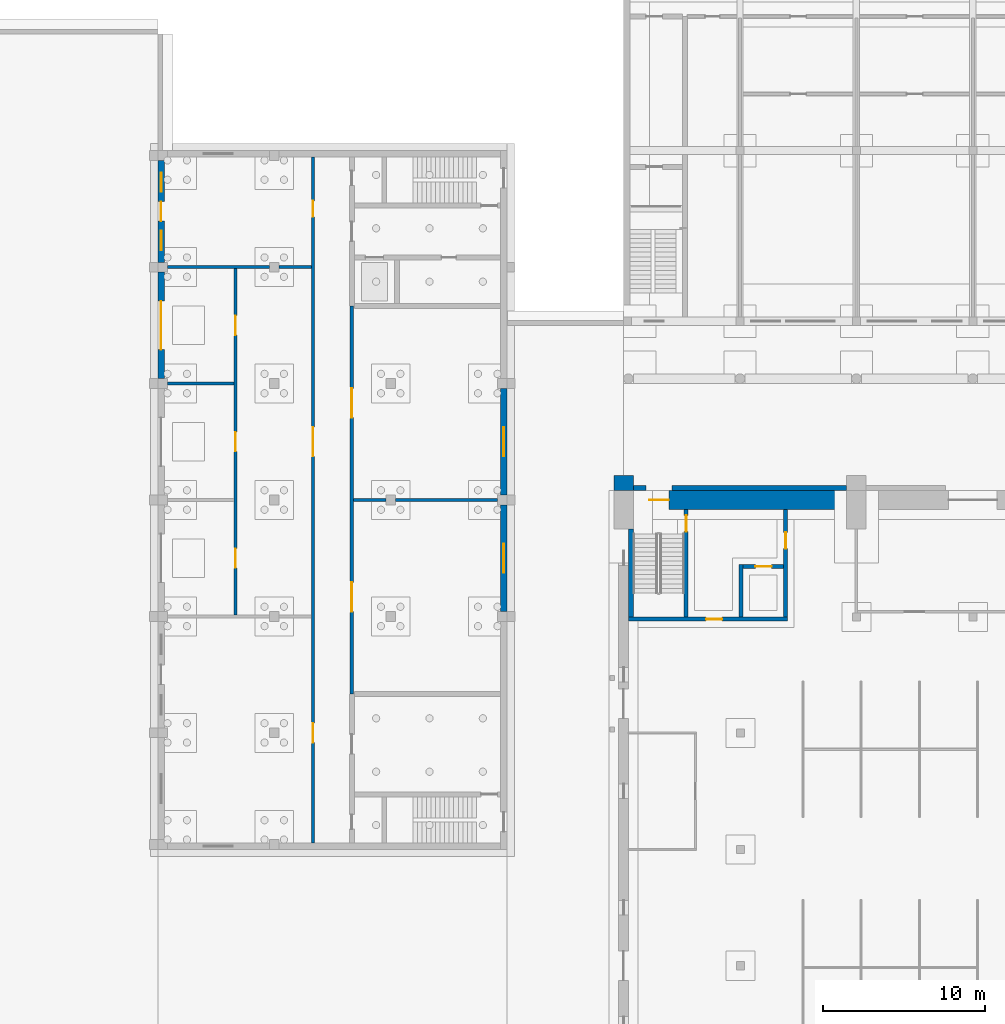
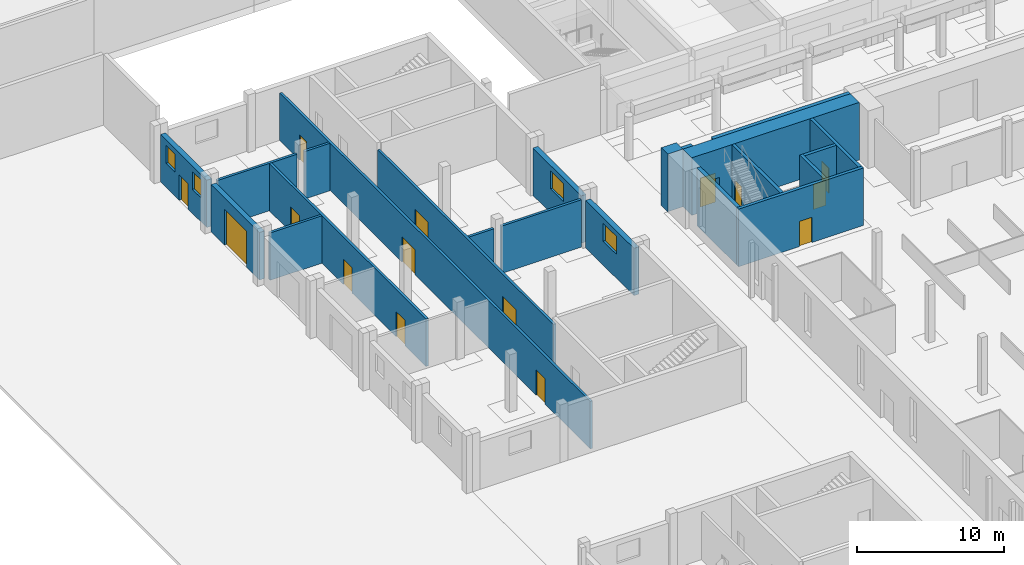
# One storey, part 39 of 73: 22 walls, 15 doors, 4 windows, 19 openings.
"""IFC4 building model written with IfcOpenShell, lengths in metres."""

from ifc_helpers import new_model, si_unit, direction, frame, frame_2d, origin, place, context, subcontext, project, spatial, rectangle, extrude, material, layer, layer_set, type_object, element, fill, save


model = new_model("IFC4")

# Units and contexts
model_context = context("Model", 3, precision=1e-05, world=origin(), true_north=direction((0.0, 1.0)))
body_context = subcontext(model_context, "Body", "Model", "MODEL_VIEW")
ifc_project = project(units=[si_unit("LENGTHUNIT", "METRE"), si_unit("AREAUNIT", "SQUARE_METRE"), si_unit("VOLUMEUNIT", "CUBIC_METRE"), si_unit("PLANEANGLEUNIT", "RADIAN"), si_unit("MASSUNIT", "GRAM", prefix="KILO")], contexts=[model_context])

# Site, building, storey
site_placement = place(None, origin())
site = spatial("IfcSite", under=ifc_project, at=site_placement, CompositionType="ELEMENT")
building_placement = place(site_placement, origin())
building = spatial("IfcBuilding", under=site, at=building_placement, Name="Alderwick Market Hall", CompositionType="ELEMENT")
storey_placement = place(building_placement, origin())
storey = spatial("IfcBuildingStorey", under=building, at=storey_placement, Name="LG", CompositionType="ELEMENT", Elevation=0.0)

# Wall, opening, door
ifc_material_1 = material(Name="Cast stone 5000 psi", Category="masonry")
ifc_layer_1 = layer(ifc_material_1, 0.39990234375)
ifc_layer_set_1 = layer_set([ifc_layer_1], Name="Cast stone 5000 psi")
wall_type_1 = type_object("IfcWallType", Name="B Cast Stone Base Wall 400", PredefinedType="SOLIDWALL", material=ifc_layer_set_1)
wall_1_placement = place(storey_placement, frame((21.800048828125, 115.5, 0.0), z_axis=(0.0, 0.0, 1.0), x_axis=(0.0, 1.0, 0.0)))
wall_1 = element("IfcWall", 1, at=wall_1_placement, inside=storey, type_object=wall_type_1, Name="B.N.wall.LG.021", PredefinedType="SOLIDWALL", context=body_context, shape_type="SweptSolid", body=[
    extrude(rectangle(XDim=6.60009765625, YDim=0.39990234375, at=frame_2d((3.300048828125, 0.0))), origin(), (0.0, 0.0, 1.0), 3.949951171875),
])
opening_1_placement = place(wall_1_placement, frame((1.800048828125, 0.0, 0.0)))
opening_1 = element("IfcOpeningElement", 2, at=opening_1_placement, cuts=wall_1, Name="Opening B-D002", PredefinedType="OPENING", context=body_context, shape_type="SweptSolid", body=[
    extrude(rectangle(XDim=3.0, YDim=3.0, at=frame_2d((1.5, 1.5))), frame((0.0, 0.2099609375, 0.0), z_axis=(0.0, -1.0, 0.0), x_axis=(1.0, 0.0, 0.0)), (0.0, 0.0, 1.0), 0.419921875),
])
ifc_material_2 = material(Name="Insulated steel sectional door", Category="steel")
door_type_1 = type_object("IfcDoorType", Name="B Sectional Dock Door 3000x3000", OperationType="ROLLINGUP", PredefinedType="DOOR", material=ifc_material_2)
door_1_placement = place(opening_1_placement, origin())
door_1 = element("IfcDoor", 3, at=door_1_placement, inside=storey, type_object=door_type_1, Name="Loading dock door", OperationType="ROLLINGUP", OverallHeight=3.0, OverallWidth=3.0, PredefinedType="DOOR", context=body_context, shape_type="SweptSolid", body=[
    extrude(rectangle(XDim=3.0, YDim=3.0, at=frame_2d((1.5, 1.5))), frame((0.0, 0.02490234375, 0.0), z_axis=(0.0, -1.0, 0.0), x_axis=(1.0, 0.0, 0.0)), (0.0, 0.0, 1.0), 0.050048828125),
])
fill(opening_1, door_1)

# Wall, openings, door, windows
wall_2_placement = place(storey_placement, frame((21.800048828125, 122.699951171875, 0.0), z_axis=(0.0, 0.0, 1.0), x_axis=(0.0, 1.0, 0.0)))
wall_2 = element("IfcWall", 4, at=wall_2_placement, inside=storey, type_object=wall_type_1, Name="B.N.wall.LG.022", PredefinedType="SOLIDWALL", context=body_context, shape_type="SweptSolid", body=[
    extrude(rectangle(XDim=6.300048828125, YDim=0.39990234375, at=frame_2d((3.14990234375, 0.0))), origin(), (0.0, 0.0, 1.0), 3.949951171875),
])
opening_2_placement = place(wall_2_placement, frame((2.550048828125, 0.0, 0.0)))
opening_2 = element("IfcOpeningElement", 5, at=opening_2_placement, cuts=wall_2, Name="Opening B-D001", PredefinedType="OPENING", context=body_context, shape_type="SweptSolid", body=[
    extrude(rectangle(XDim=1.199951171875, YDim=2.10009765625, at=frame_2d((0.60009765625, 1.050048828125))), frame((0.0, 0.2099609375, 0.0), z_axis=(0.0, -1.0, 0.0), x_axis=(1.0, 0.0, 0.0)), (0.0, 0.0, 1.0), 0.419921875),
])
opening_3_placement = place(wall_2_placement, frame((0.75, 0.0, 2.0)))
opening_3 = element("IfcOpeningElement", 6, at=opening_3_placement, cuts=wall_2, Name="Opening B-W006", PredefinedType="OPENING", context=body_context, shape_type="SweptSolid", body=[
    extrude(rectangle(XDim=1.199951171875, YDim=1.5, at=frame_2d((0.60009765625, 0.75))), frame((0.0, 0.2099609375, 0.0), z_axis=(0.0, -1.0, 0.0), x_axis=(1.0, 0.0, 0.0)), (0.0, 0.0, 1.0), 0.419921875),
])
opening_4_placement = place(wall_2_placement, frame((4.35009765625, 0.0, 2.0)))
opening_4 = element("IfcOpeningElement", 7, at=opening_4_placement, cuts=wall_2, Name="Opening B-W007", PredefinedType="OPENING", context=body_context, shape_type="SweptSolid", body=[
    extrude(rectangle(XDim=1.199951171875, YDim=1.5, at=frame_2d((0.60009765625, 0.75))), frame((0.0, 0.2099609375, 0.0), z_axis=(0.0, -1.0, 0.0), x_axis=(1.0, 0.0, 0.0)), (0.0, 0.0, 1.0), 0.419921875),
])
ifc_material_3 = material(Name="Hollow metal door and frame")
door_type_2 = type_object("IfcDoorType", Name="B Door 1200x2100", OperationType="SINGLE_SWING_LEFT", PredefinedType="DOOR", material=ifc_material_3)
door_2_placement = place(opening_2_placement, origin())
door_2 = element("IfcDoor", 8, at=door_2_placement, inside=storey, type_object=door_type_2, Name="Waste room door", OperationType="SINGLE_SWING_LEFT", OverallHeight=2.10009765625, OverallWidth=1.199951171875, PredefinedType="DOOR", context=body_context, shape_type="SweptSolid", body=[
    extrude(rectangle(XDim=1.199951171875, YDim=2.10009765625, at=frame_2d((0.60009765625, 1.050048828125))), frame((0.0, 0.02490234375, 0.0), z_axis=(0.0, -1.0, 0.0), x_axis=(1.0, 0.0, 0.0)), (0.0, 0.0, 1.0), 0.050048828125),
])
fill(opening_2, door_2)
ifc_material_4 = material(Name="Aluminium frame", Category="aluminium")
window_type_1 = type_object("IfcWindowType", Name="B Window 1200x1500", PartitioningType="SINGLE_PANEL", PredefinedType="WINDOW", material=ifc_material_4)
window_1_placement = place(opening_3_placement, origin())
window_1 = element("IfcWindow", 9, at=window_1_placement, inside=storey, type_object=window_type_1, Name="Window B-W006", OverallHeight=1.5, OverallWidth=1.199951171875, PartitioningType="SINGLE_PANEL", PredefinedType="WINDOW", context=body_context, shape_type="SweptSolid", body=[
    extrude(rectangle(XDim=1.199951171875, YDim=1.5, at=frame_2d((0.60009765625, 0.75))), frame((0.0, 0.030029296875, 0.0), z_axis=(0.0, -1.0, 0.0), x_axis=(1.0, 0.0, 0.0)), (0.0, 0.0, 1.0), 0.06005859375),
])
fill(opening_3, window_1)
window_2_placement = place(opening_4_placement, origin())
window_2 = element("IfcWindow", 10, at=window_2_placement, inside=storey, type_object=window_type_1, Name="Window B-W007", OverallHeight=1.5, OverallWidth=1.199951171875, PartitioningType="SINGLE_PANEL", PredefinedType="WINDOW", context=body_context, shape_type="SweptSolid", body=[
    extrude(rectangle(XDim=1.199951171875, YDim=1.5, at=frame_2d((0.60009765625, 0.75))), frame((0.0, 0.030029296875, 0.0), z_axis=(0.0, -1.0, 0.0), x_axis=(1.0, 0.0, 0.0)), (0.0, 0.0, 1.0), 0.06005859375),
])
fill(opening_4, window_2)

# Wall, opening, window
wall_3_placement = place(storey_placement, frame((43.0, 101.10009765625, 0.0), z_axis=(0.0, 0.0, 1.0), x_axis=(0.0, 1.0, 0.0)))
wall_3 = element("IfcWall", 11, at=wall_3_placement, inside=storey, type_object=wall_type_1, Name="B.N.wall.LG.032", PredefinedType="SOLIDWALL", context=body_context, shape_type="SweptSolid", body=[
    extrude(rectangle(XDim=6.599853515625, YDim=0.39990234375, at=frame_2d((3.2998046875, 0.0))), origin(), (0.0, 0.0, 1.0), 3.949951171875),
])
opening_5_placement = place(wall_3_placement, frame((2.39990234375, 0.0, 2.0)))
opening_5 = element("IfcOpeningElement", 12, at=opening_5_placement, cuts=wall_3, Name="Opening B-W008", PredefinedType="OPENING", context=body_context, shape_type="SweptSolid", body=[
    extrude(rectangle(XDim=1.800048828125, YDim=1.5, at=frame_2d((0.89990234375, 0.75))), frame((0.0, 0.2099609375, 0.0), z_axis=(0.0, -1.0, 0.0), x_axis=(1.0, 0.0, 0.0)), (0.0, 0.0, 1.0), 0.419921875),
])
window_type_2 = type_object("IfcWindowType", Name="B Window 1800x1500", PartitioningType="SINGLE_PANEL", PredefinedType="WINDOW", material=ifc_material_4)
window_3_placement = place(opening_5_placement, origin())
window_3 = element("IfcWindow", 13, at=window_3_placement, inside=storey, type_object=window_type_2, Name="Window B-W008", OverallHeight=1.5, OverallWidth=1.800048828125, PartitioningType="SINGLE_PANEL", PredefinedType="WINDOW", context=body_context, shape_type="SweptSolid", body=[
    extrude(rectangle(XDim=1.800048828125, YDim=1.5, at=frame_2d((0.89990234375, 0.75))), frame((0.0, 0.030029296875, 0.0), z_axis=(0.0, -1.0, 0.0), x_axis=(1.0, 0.0, 0.0)), (0.0, 0.0, 1.0), 0.06005859375),
])
fill(opening_5, window_3)

wall_4_placement = place(storey_placement, frame((43.0, 108.300048828125, 0.0), z_axis=(0.0, 0.0, 1.0), x_axis=(0.0, 1.0, 0.0)))
wall_4 = element("IfcWall", 14, at=wall_4_placement, inside=storey, type_object=wall_type_1, Name="B.N.wall.LG.033", PredefinedType="SOLIDWALL", context=body_context, shape_type="SweptSolid", body=[
    extrude(rectangle(XDim=6.599853515625, YDim=0.39990234375, at=frame_2d((3.2998046875, 0.0))), origin(), (0.0, 0.0, 1.0), 3.949951171875),
])
opening_6_placement = place(wall_4_placement, frame((2.39990234375, 0.0, 2.0)))
opening_6 = element("IfcOpeningElement", 15, at=opening_6_placement, cuts=wall_4, Name="Opening B-W009", PredefinedType="OPENING", context=body_context, shape_type="SweptSolid", body=[
    extrude(rectangle(XDim=1.800048828125, YDim=1.5, at=frame_2d((0.89990234375, 0.75))), frame((0.0, 0.2099609375, 0.0), z_axis=(0.0, -1.0, 0.0), x_axis=(1.0, 0.0, 0.0)), (0.0, 0.0, 1.0), 0.419921875),
])
window_4_placement = place(opening_6_placement, origin())
window_4 = element("IfcWindow", 16, at=window_4_placement, inside=storey, type_object=window_type_2, Name="Window B-W009", OverallHeight=1.5, OverallWidth=1.800048828125, PartitioningType="SINGLE_PANEL", PredefinedType="WINDOW", context=body_context, shape_type="SweptSolid", body=[
    extrude(rectangle(XDim=1.800048828125, YDim=1.5, at=frame_2d((0.89990234375, 0.75))), frame((0.0, 0.030029296875, 0.0), z_axis=(0.0, -1.0, 0.0), x_axis=(1.0, 0.0, 0.0)), (0.0, 0.0, 1.0), 0.06005859375),
])
fill(opening_6, window_4)

# Walls
ifc_material_5 = material(Name="Insulated metal panel, ASTM A653 Grade 50 steel faced", Category="steel")
ifc_layer_2 = layer(ifc_material_5, 0.199951171875)
ifc_layer_set_2 = layer_set([ifc_layer_2], Name="Insulated metal panel, ASTM A653 Grade 50 steel faced")
wall_type_2 = type_object("IfcWallType", Name="B Insulated Cold Store Wall 200", PredefinedType="PARTITIONING", material=ifc_layer_set_2)
wall_5_placement = place(storey_placement, frame((33.699951171875, 108.0, 0.0), z_axis=(0.0, 0.0, 1.0), x_axis=(1.0, 0.0, 0.0)))
element("IfcWall", 17, at=wall_5_placement, inside=storey, type_object=wall_type_2, Name="B.N.wall.LG.007", PredefinedType="PARTITIONING", context=body_context, shape_type="SweptSolid", body=[
    extrude(rectangle(XDim=2.0, YDim=0.199951171875, at=frame_2d((1.0, 0.0))), origin(), (0.0, 0.0, 1.0), 3.949951171875),
])
wall_6_placement = place(storey_placement, frame((36.300048828125, 108.0, 0.0), z_axis=(0.0, 0.0, 1.0), x_axis=(1.0, 0.0, 0.0)))
element("IfcWall", 18, at=wall_6_placement, inside=storey, type_object=wall_type_2, Name="B.N.wall.LG.008", PredefinedType="PARTITIONING", context=body_context, shape_type="SweptSolid", body=[
    extrude(rectangle(XDim=6.300048828125, YDim=0.199951171875, at=frame_2d((3.14990234375, 0.0))), origin(), (0.0, 0.0, 1.0), 3.949951171875),
])

# Wall, openings, doors
wall_7_placement = place(storey_placement, frame((33.60009765625, 96.0, 0.0), z_axis=(0.0, 0.0, 1.0), x_axis=(0.0, 1.0, 0.0)))
wall_7 = element("IfcWall", 19, at=wall_7_placement, inside=storey, type_object=wall_type_2, Name="B.N.wall.LG.026", PredefinedType="PARTITIONING", context=body_context, shape_type="SweptSolid", body=[
    extrude(rectangle(XDim=24.0, YDim=0.199951171875, at=frame_2d((12.0, 0.0))), origin(), (0.0, 0.0, 1.0), 3.949951171875),
])
opening_7_placement = place(wall_7_placement, frame((17.10009765625, 0.0, 0.0)))
opening_7 = element("IfcOpeningElement", 20, at=opening_7_placement, cuts=wall_7, Name="Opening B-D025", PredefinedType="OPENING", context=body_context, shape_type="SweptSolid", body=[
    extrude(rectangle(XDim=1.800048828125, YDim=2.10009765625, at=frame_2d((0.89990234375, 1.050048828125))), frame((0.0, 0.10986328125, 0.0), z_axis=(0.0, -1.0, 0.0), x_axis=(1.0, 0.0, 0.0)), (0.0, 0.0, 1.0), 0.219970703125),
])
opening_8_placement = place(wall_7_placement, frame((5.10009765625, 0.0, 0.0)))
opening_8 = element("IfcOpeningElement", 21, at=opening_8_placement, cuts=wall_7, Name="Opening B-D026", PredefinedType="OPENING", context=body_context, shape_type="SweptSolid", body=[
    extrude(rectangle(XDim=1.800048828125, YDim=2.10009765625, at=frame_2d((0.89990234375, 1.050048828125))), frame((0.0, 0.10986328125, 0.0), z_axis=(0.0, -1.0, 0.0), x_axis=(1.0, 0.0, 0.0)), (0.0, 0.0, 1.0), 0.219970703125),
])
door_type_3 = type_object("IfcDoorType", Name="B Double Door 1800x2100", OperationType="DOUBLE_DOOR_DOUBLE_SWING", PredefinedType="DOOR", material=ifc_material_3)
door_3_placement = place(opening_7_placement, origin())
door_3 = element("IfcDoor", 22, at=door_3_placement, inside=storey, type_object=door_type_3, Name="Cold Store door", OperationType="DOUBLE_DOOR_DOUBLE_SWING", OverallHeight=2.10009765625, OverallWidth=1.800048828125, PredefinedType="DOOR", context=body_context, shape_type="SweptSolid", body=[
    extrude(rectangle(XDim=1.800048828125, YDim=2.10009765625, at=frame_2d((0.89990234375, 1.050048828125))), frame((0.0, 0.02490234375, 0.0), z_axis=(0.0, -1.0, 0.0), x_axis=(1.0, 0.0, 0.0)), (0.0, 0.0, 1.0), 0.050048828125),
])
fill(opening_7, door_3)
door_4_placement = place(opening_8_placement, origin())
door_4 = element("IfcDoor", 23, at=door_4_placement, inside=storey, type_object=door_type_3, Name="Dry Store door", OperationType="DOUBLE_DOOR_DOUBLE_SWING", OverallHeight=2.10009765625, OverallWidth=1.800048828125, PredefinedType="DOOR", context=body_context, shape_type="SweptSolid", body=[
    extrude(rectangle(XDim=1.800048828125, YDim=2.10009765625, at=frame_2d((0.89990234375, 1.050048828125))), frame((0.0, 0.02490234375, 0.0), z_axis=(0.0, -1.0, 0.0), x_axis=(1.0, 0.0, 0.0)), (0.0, 0.0, 1.0), 0.050048828125),
])
fill(opening_8, door_4)

# Walls
ifc_material_6 = material(Name="Concrete masonry 3000 psi", Category="masonry")
ifc_layer_3 = layer(ifc_material_6, 0.199951171875)
ifc_layer_set_3 = layer_set([ifc_layer_3], Name="Concrete masonry 3000 psi")
wall_type_3 = type_object("IfcWallType", Name="B Masonry Partition 200", PredefinedType="PARTITIONING", material=ifc_layer_set_3)
wall_8_placement = place(storey_placement, frame((22.199951171875, 115.199951171875, 0.0), z_axis=(0.0, 0.0, 1.0), x_axis=(1.0, 0.0, 0.0)))
element("IfcWall", 24, at=wall_8_placement, inside=storey, type_object=wall_type_3, Name="B.N.wall.LG.009", PredefinedType="PARTITIONING", context=body_context, shape_type="SweptSolid", body=[
    extrude(rectangle(XDim=4.10009765625, YDim=0.199951171875, at=frame_2d((2.050048828125, 0.0))), origin(), (0.0, 0.0, 1.0), 3.949951171875),
])
wall_9_placement = place(storey_placement, frame((22.199951171875, 122.39990234375, 0.0), z_axis=(0.0, 0.0, 1.0), x_axis=(1.0, 0.0, 0.0)))
element("IfcWall", 25, at=wall_9_placement, inside=storey, type_object=wall_type_3, Name="B.N.wall.LG.011", PredefinedType="PARTITIONING", context=body_context, shape_type="SweptSolid", body=[
    extrude(rectangle(XDim=6.300048828125, YDim=0.199951171875, at=frame_2d((3.14990234375, 0.0))), origin(), (0.0, 0.0, 1.0), 3.949951171875),
])
wall_10_placement = place(storey_placement, frame((29.10009765625, 122.39990234375, 0.0), z_axis=(0.0, 0.0, 1.0), x_axis=(1.0, 0.0, 0.0)))
element("IfcWall", 26, at=wall_10_placement, inside=storey, type_object=wall_type_3, Name="B.N.wall.LG.012", PredefinedType="PARTITIONING", context=body_context, shape_type="SweptSolid", body=[
    extrude(rectangle(XDim=2.0, YDim=0.199951171875, at=frame_2d((1.0, 0.0))), origin(), (0.0, 0.0, 1.0), 3.949951171875),
])

# Wall, openings, doors
wall_11_placement = place(storey_placement, frame((26.39990234375, 100.89990234375, 0.0), z_axis=(0.0, 0.0, 1.0), x_axis=(0.0, 1.0, 0.0)))
wall_11 = element("IfcWall", 27, at=wall_11_placement, inside=storey, type_object=wall_type_3, Name="B.N.wall.LG.023", PredefinedType="PARTITIONING", context=body_context, shape_type="SweptSolid", body=[
    extrude(rectangle(XDim=21.400146484375, YDim=0.199951171875, at=frame_2d((10.7001953125, 0.0))), origin(), (0.0, 0.0, 1.0), 3.949951171875),
])
opening_9_placement = place(wall_11_placement, frame((17.300048828125, 0.0, 0.0)))
opening_9 = element("IfcOpeningElement", 28, at=opening_9_placement, cuts=wall_11, Name="Opening B-D020", PredefinedType="OPENING", context=body_context, shape_type="SweptSolid", body=[
    extrude(rectangle(XDim=1.199951171875, YDim=2.10009765625, at=frame_2d((0.60009765625, 1.050048828125))), frame((0.0, 0.10986328125, 0.0), z_axis=(0.0, -1.0, 0.0), x_axis=(1.0, 0.0, 0.0)), (0.0, 0.0, 1.0), 0.219970703125),
])
opening_10_placement = place(wall_11_placement, frame((10.10009765625, 0.0, 0.0)))
opening_10 = element("IfcOpeningElement", 29, at=opening_10_placement, cuts=wall_11, Name="Opening B-D021", PredefinedType="OPENING", context=body_context, shape_type="SweptSolid", body=[
    extrude(rectangle(XDim=1.199951171875, YDim=2.10009765625, at=frame_2d((0.60009765625, 1.050048828125))), frame((0.0, 0.10986328125, 0.0), z_axis=(0.0, -1.0, 0.0), x_axis=(1.0, 0.0, 0.0)), (0.0, 0.0, 1.0), 0.219970703125),
])
opening_11_placement = place(wall_11_placement, frame((2.89990234375, 0.0, 0.0)))
opening_11 = element("IfcOpeningElement", 30, at=opening_11_placement, cuts=wall_11, Name="Opening B-D022", PredefinedType="OPENING", context=body_context, shape_type="SweptSolid", body=[
    extrude(rectangle(XDim=1.199951171875, YDim=2.10009765625, at=frame_2d((0.60009765625, 1.050048828125))), frame((0.0, 0.10986328125, 0.0), z_axis=(0.0, -1.0, 0.0), x_axis=(1.0, 0.0, 0.0)), (0.0, 0.0, 1.0), 0.219970703125),
])
door_5_placement = place(opening_9_placement, origin())
door_5 = element("IfcDoor", 31, at=door_5_placement, inside=storey, type_object=door_type_2, Name="Dock to receiving door", OperationType="SINGLE_SWING_RIGHT", OverallHeight=2.10009765625, OverallWidth=1.199951171875, PredefinedType="DOOR", context=body_context, shape_type="SweptSolid", body=[
    extrude(rectangle(XDim=1.199951171875, YDim=2.10009765625, at=frame_2d((0.60009765625, 1.050048828125))), frame((0.0, 0.02490234375, 0.0), z_axis=(0.0, -1.0, 0.0), x_axis=(1.0, 0.0, 0.0)), (0.0, 0.0, 1.0), 0.050048828125),
])
fill(opening_9, door_5)
door_6_placement = place(opening_10_placement, origin())
door_6 = element("IfcDoor", 32, at=door_6_placement, inside=storey, type_object=door_type_2, Name="Dock to receiving door", OperationType="SINGLE_SWING_LEFT", OverallHeight=2.10009765625, OverallWidth=1.199951171875, PredefinedType="DOOR", context=body_context, shape_type="SweptSolid", body=[
    extrude(rectangle(XDim=1.199951171875, YDim=2.10009765625, at=frame_2d((0.60009765625, 1.050048828125))), frame((0.0, 0.02490234375, 0.0), z_axis=(0.0, -1.0, 0.0), x_axis=(1.0, 0.0, 0.0)), (0.0, 0.0, 1.0), 0.050048828125),
])
fill(opening_10, door_6)
door_7_placement = place(opening_11_placement, origin())
door_7 = element("IfcDoor", 33, at=door_7_placement, inside=storey, type_object=door_type_2, Name="Dock to receiving door", OperationType="SINGLE_SWING_RIGHT", OverallHeight=2.10009765625, OverallWidth=1.199951171875, PredefinedType="DOOR", context=body_context, shape_type="SweptSolid", body=[
    extrude(rectangle(XDim=1.199951171875, YDim=2.10009765625, at=frame_2d((0.60009765625, 1.050048828125))), frame((0.0, 0.02490234375, 0.0), z_axis=(0.0, -1.0, 0.0), x_axis=(1.0, 0.0, 0.0)), (0.0, 0.0, 1.0), 0.050048828125),
])
fill(opening_11, door_7)

wall_12_placement = place(storey_placement, frame((31.199951171875, 86.800048828125, 0.0), z_axis=(0.0, 0.0, 1.0), x_axis=(0.0, 1.0, 0.0)))
wall_12 = element("IfcWall", 34, at=wall_12_placement, inside=storey, type_object=wall_type_3, Name="B.N.wall.LG.024", PredefinedType="PARTITIONING", context=body_context, shape_type="SweptSolid", body=[
    extrude(rectangle(XDim=42.39990234375, YDim=0.199951171875, at=frame_2d((21.199951171875, 0.0))), origin(), (0.0, 0.0, 1.0), 3.949951171875),
])
opening_12_placement = place(wall_12_placement, frame((38.699951171875, 0.0, 0.0)))
opening_12 = element("IfcOpeningElement", 35, at=opening_12_placement, cuts=wall_12, Name="Opening B-D019", PredefinedType="OPENING", context=body_context, shape_type="SweptSolid", body=[
    extrude(rectangle(XDim=1.0, YDim=2.10009765625, at=frame_2d((0.5, 1.050048828125))), frame((0.0, 0.10986328125, 0.0), z_axis=(0.0, -1.0, 0.0), x_axis=(1.0, 0.0, 0.0)), (0.0, 0.0, 1.0), 0.219970703125),
])
opening_13_placement = place(wall_12_placement, frame((23.89990234375, 0.0, 0.0)))
opening_13 = element("IfcOpeningElement", 36, at=opening_13_placement, cuts=wall_12, Name="Opening B-D023", PredefinedType="OPENING", context=body_context, shape_type="SweptSolid", body=[
    extrude(rectangle(XDim=1.800048828125, YDim=2.10009765625, at=frame_2d((0.89990234375, 1.050048828125))), frame((0.0, 0.10986328125, 0.0), z_axis=(0.0, -1.0, 0.0), x_axis=(1.0, 0.0, 0.0)), (0.0, 0.0, 1.0), 0.219970703125),
])
opening_14_placement = place(wall_12_placement, frame((6.199951171875, 0.0, 0.0)))
opening_14 = element("IfcOpeningElement", 37, at=opening_14_placement, cuts=wall_12, Name="Opening B-D024", PredefinedType="OPENING", context=body_context, shape_type="SweptSolid", body=[
    extrude(rectangle(XDim=1.199951171875, YDim=2.10009765625, at=frame_2d((0.60009765625, 1.050048828125))), frame((0.0, 0.10986328125, 0.0), z_axis=(0.0, -1.0, 0.0), x_axis=(1.0, 0.0, 0.0)), (0.0, 0.0, 1.0), 0.219970703125),
])
door_type_4 = type_object("IfcDoorType", Name="B Door 1000x2100", OperationType="SINGLE_SWING_LEFT", PredefinedType="DOOR", material=ifc_material_3)
door_8_placement = place(opening_12_placement, origin())
door_8 = element("IfcDoor", 38, at=door_8_placement, inside=storey, type_object=door_type_4, Name="Waste Room door", OperationType="SINGLE_SWING_LEFT", OverallHeight=2.10009765625, OverallWidth=1.0, PredefinedType="DOOR", context=body_context, shape_type="SweptSolid", body=[
    extrude(rectangle(XDim=1.0, YDim=2.10009765625, at=frame_2d((0.5, 1.050048828125))), frame((0.0, 0.02490234375, 0.0), z_axis=(0.0, -1.0, 0.0), x_axis=(1.0, 0.0, 0.0)), (0.0, 0.0, 1.0), 0.050048828125),
])
fill(opening_12, door_8)
door_9_placement = place(opening_13_placement, origin())
door_9 = element("IfcDoor", 39, at=door_9_placement, inside=storey, type_object=door_type_3, Name="Goods Receiving door", OperationType="DOUBLE_DOOR_DOUBLE_SWING", OverallHeight=2.10009765625, OverallWidth=1.800048828125, PredefinedType="DOOR", context=body_context, shape_type="SweptSolid", body=[
    extrude(rectangle(XDim=1.800048828125, YDim=2.10009765625, at=frame_2d((0.89990234375, 1.050048828125))), frame((0.0, 0.02490234375, 0.0), z_axis=(0.0, -1.0, 0.0), x_axis=(1.0, 0.0, 0.0)), (0.0, 0.0, 1.0), 0.050048828125),
])
fill(opening_13, door_9)
ifc_material_7 = material(Name="Hollow metal fire door and frame")
door_type_5 = type_object("IfcDoorType", Name="B Fire Door 1200x2100", OperationType="SINGLE_SWING_LEFT", PredefinedType="DOOR", material=ifc_material_7)
door_10_placement = place(opening_14_placement, origin())
door_10 = element("IfcDoor", 40, at=door_10_placement, inside=storey, type_object=door_type_5, Name="Plant Room door", OperationType="SINGLE_SWING_RIGHT", OverallHeight=2.10009765625, OverallWidth=1.199951171875, PredefinedType="DOOR", context=body_context, shape_type="SweptSolid", body=[
    extrude(rectangle(XDim=1.199951171875, YDim=2.10009765625, at=frame_2d((0.60009765625, 1.050048828125))), frame((0.0, 0.02490234375, 0.0), z_axis=(0.0, -1.0, 0.0), x_axis=(1.0, 0.0, 0.0)), (0.0, 0.0, 1.0), 0.050048828125),
])
fill(opening_14, door_10)

# Walls
ifc_material_8 = material(Name="Cast stone 5000 psi (f'c 35 MPa), ASTM C1364", Category="masonry")
ifc_layer_4 = layer(ifc_material_8, 0.300048828125)
ifc_layer_set_4 = layer_set([ifc_layer_4], Name="Cast stone 5000 psi (f'c 35 MPa), ASTM C1364")
wall_type_4 = type_object("IfcWallType", Name="H Base course 300", PredefinedType="SOLIDWALL", material=ifc_layer_set_4)
wall_13_placement = place(storey_placement, frame((51.0, 108.75, 0.0), z_axis=(0.0, 0.0, 1.0), x_axis=(1.0, 0.0, 0.0)))
element("IfcWall", 41, at=wall_13_placement, inside=storey, type_object=wall_type_4, Name="Base course N1 plinth", PredefinedType="SOLIDWALL", context=body_context, shape_type="SweptSolid", body=[
    extrude(rectangle(XDim=0.800048828125, YDim=0.300048828125, at=frame_2d((0.39990234375, 0.0))), origin(), (0.0, 0.0, 1.0), 4.800048828125),
])
wall_14_placement = place(storey_placement, frame((53.39990234375, 108.75, 0.0), z_axis=(0.0, 0.0, 1.0), x_axis=(1.0, 0.0, 0.0)))
element("IfcWall", 42, at=wall_14_placement, inside=storey, type_object=wall_type_4, Name="Base course N1 plinth", PredefinedType="SOLIDWALL", context=body_context, shape_type="SweptSolid", body=[
    extrude(rectangle(XDim=10.800048828125, YDim=0.300048828125, at=frame_2d((5.39990234375, 0.0))), origin(), (0.0, 0.0, 1.0), 4.800048828125),
])
ifc_material_9 = material(Name="Face brick masonry, ASTM C216 grade SW (f'm 17 MPa)", Category="masonry")
ifc_layer_5 = layer(ifc_material_9, 0.89990234375)
ifc_layer_set_5 = layer_set([ifc_layer_5], Name="Face brick masonry, ASTM C216 grade SW (f'm 17 MPa)")
wall_type_5 = type_object("IfcWallType", Name="H Buttress pier 900", PredefinedType="SOLIDWALL", material=ifc_layer_set_5)
wall_15_placement = place(storey_placement, frame((49.800048828125, 109.050048828125, 0.0), z_axis=(0.0, 0.0, 1.0), x_axis=(1.0, 0.0, 0.0)))
element("IfcWall", 43, at=wall_15_placement, inside=storey, type_object=wall_type_5, Name="Buttress pier N1", PredefinedType="SOLIDWALL", context=body_context, shape_type="SweptSolid", body=[
    extrude(rectangle(XDim=1.199951171875, YDim=0.89990234375, at=frame_2d((0.60009765625, 0.0))), origin(), (0.0, 0.0, 1.0), 4.800048828125),
])

# Wall, opening, door
ifc_material_10 = material(Name="Concrete 5000 psi (f'c 35 MPa)", Category="concrete")
ifc_layer_6 = layer(ifc_material_10, 0.25)
ifc_layer_set_6 = layer_set([ifc_layer_6], Name="Concrete 5000 psi (f'c 35 MPa)")
wall_type_6 = type_object("IfcWallType", Name="H Core wall 250", PredefinedType="SOLIDWALL", material=ifc_layer_set_6)
wall_16_placement = place(storey_placement, frame((50.699951171875, 100.635009765625, 0.0), z_axis=(0.0, 0.0, 1.0), x_axis=(1.0, 0.0, 0.0)))
wall_16 = element("IfcWall", 44, at=wall_16_placement, inside=storey, type_object=wall_type_6, Name="Core wall H-NW", PredefinedType="SOLIDWALL", context=body_context, shape_type="SweptSolid", body=[
    extrude(rectangle(XDim=9.85009765625, YDim=0.25, at=frame_2d((4.925048828125, 0.0))), origin(), (0.0, 0.0, 1.0), 4.800048828125),
])
opening_15_placement = place(wall_16_placement, frame((4.800048828125, 0.0, 0.0)))
opening_15 = element("IfcOpeningElement", 45, at=opening_15_placement, cuts=wall_16, Name="Opening H-D028", PredefinedType="OPENING", context=body_context, shape_type="SweptSolid", body=[
    extrude(rectangle(XDim=1.0, YDim=2.10009765625, at=frame_2d((0.5, 1.050048828125))), frame((0.0, 0.135009765625, 0.0), z_axis=(0.0, -1.0, 0.0), x_axis=(1.0, 0.0, 0.0)), (0.0, 0.0, 1.0), 0.27001953125),
])
ifc_material_11 = material(Name="Steel, fire-rated", Category="steel")
door_type_6 = type_object("IfcDoorType", Name="H Stair door FD90 1000x2100", OperationType="SINGLE_SWING_LEFT", PredefinedType="DOOR", material=ifc_material_11)
door_11_placement = place(opening_15_placement, origin())
door_11 = element("IfcDoor", 46, at=door_11_placement, inside=storey, type_object=door_type_6, Name="Door H-D028", OperationType="SINGLE_SWING_LEFT", OverallHeight=2.10009765625, OverallWidth=1.0, PredefinedType="DOOR", context=body_context, shape_type="SweptSolid", body=[
    extrude(rectangle(XDim=1.0, YDim=2.10009765625, at=frame_2d((0.5, 1.050048828125))), frame((0.0, 0.02490234375, 0.0), z_axis=(0.0, -1.0, 0.0), x_axis=(1.0, 0.0, 0.0)), (0.0, 0.0, 1.0), 0.050048828125),
])
fill(opening_15, door_11)

wall_17_placement = place(storey_placement, frame((60.425048828125, 100.760009765625, 0.0), z_axis=(0.0, 0.0, 1.0), x_axis=(0.0, 1.0, 0.0)))
wall_17 = element("IfcWall", 47, at=wall_17_placement, inside=storey, type_object=wall_type_6, Name="Core wall H-NW", PredefinedType="SOLIDWALL", context=body_context, shape_type="SweptSolid", body=[
    extrude(rectangle(XDim=6.639892578125, YDim=0.25, at=frame_2d((3.31982421875, 0.0))), origin(), (0.0, 0.0, 1.0), 4.800048828125),
])
opening_16_placement = place(wall_17_placement, frame((4.239990234375, 0.0, 0.0)))
opening_16 = element("IfcOpeningElement", 48, at=opening_16_placement, cuts=wall_17, Name="Opening H-D027", PredefinedType="OPENING", context=body_context, shape_type="SweptSolid", body=[
    extrude(rectangle(XDim=1.0, YDim=2.10009765625, at=frame_2d((0.5, 1.050048828125))), frame((0.0, 0.135009765625, 0.0), z_axis=(0.0, -1.0, 0.0), x_axis=(1.0, 0.0, 0.0)), (0.0, 0.0, 1.0), 0.27001953125),
])
door_12_placement = place(opening_16_placement, origin())
door_12 = element("IfcDoor", 49, at=door_12_placement, inside=storey, type_object=door_type_6, Name="Door H-D027", OperationType="SINGLE_SWING_LEFT", OverallHeight=2.10009765625, OverallWidth=1.0, PredefinedType="DOOR", context=body_context, shape_type="SweptSolid", body=[
    extrude(rectangle(XDim=1.0, YDim=2.10009765625, at=frame_2d((0.5, 1.050048828125))), frame((0.0, 0.02490234375, 0.0), z_axis=(0.0, -1.0, 0.0), x_axis=(1.0, 0.0, 0.0)), (0.0, 0.0, 1.0), 0.050048828125),
])
fill(opening_16, door_12)

wall_18_placement = place(storey_placement, frame((54.27490234375, 100.760009765625, 0.0), z_axis=(0.0, 0.0, 1.0), x_axis=(0.0, 1.0, 0.0)))
wall_18 = element("IfcWall", 50, at=wall_18_placement, inside=storey, type_object=wall_type_6, Name="Core wall H-NW", PredefinedType="SOLIDWALL", context=body_context, shape_type="SweptSolid", body=[
    extrude(rectangle(XDim=6.639892578125, YDim=0.25, at=frame_2d((3.31982421875, 0.0))), origin(), (0.0, 0.0, 1.0), 4.800048828125),
])
opening_17_placement = place(wall_18_placement, frame((5.2900390625, 0.0, 0.0)))
opening_17 = element("IfcOpeningElement", 51, at=opening_17_placement, cuts=wall_18, Name="Opening H-D026", PredefinedType="OPENING", context=body_context, shape_type="SweptSolid", body=[
    extrude(rectangle(XDim=1.0, YDim=2.10009765625, at=frame_2d((0.5, 1.050048828125))), frame((0.0, 0.135009765625, 0.0), z_axis=(0.0, -1.0, 0.0), x_axis=(1.0, 0.0, 0.0)), (0.0, 0.0, 1.0), 0.27001953125),
])
door_13_placement = place(opening_17_placement, origin())
door_13 = element("IfcDoor", 52, at=door_13_placement, inside=storey, type_object=door_type_6, Name="Door H-D026", OperationType="SINGLE_SWING_LEFT", OverallHeight=2.10009765625, OverallWidth=1.0, PredefinedType="DOOR", context=body_context, shape_type="SweptSolid", body=[
    extrude(rectangle(XDim=1.0, YDim=2.10009765625, at=frame_2d((0.5, 1.050048828125))), frame((0.0, 0.02490234375, 0.0), z_axis=(0.0, -1.0, 0.0), x_axis=(1.0, 0.0, 0.0)), (0.0, 0.0, 1.0), 0.050048828125),
])
fill(opening_17, door_13)

# Wall
wall_19_placement = place(storey_placement, frame((57.675048828125, 100.760009765625, 0.0), z_axis=(0.0, 0.0, 1.0), x_axis=(0.0, 1.0, 0.0)))
element("IfcWall", 53, at=wall_19_placement, inside=storey, type_object=wall_type_6, Name="Core wall H-NW", PredefinedType="SOLIDWALL", context=body_context, shape_type="SweptSolid", body=[
    extrude(rectangle(XDim=3.25, YDim=0.25, at=frame_2d((1.625, 0.0))), origin(), (0.0, 0.0, 1.0), 4.800048828125),
])

# Wall, opening, door
wall_20_placement = place(storey_placement, frame((57.800048828125, 103.885009765625, 0.0), z_axis=(0.0, 0.0, 1.0), x_axis=(1.0, 0.0, 0.0)))
wall_20 = element("IfcWall", 54, at=wall_20_placement, inside=storey, type_object=wall_type_6, Name="Core wall H-NW", PredefinedType="SOLIDWALL", context=body_context, shape_type="SweptSolid", body=[
    extrude(rectangle(XDim=2.5, YDim=0.25, at=frame_2d((1.25, 0.0))), origin(), (0.0, 0.0, 1.0), 4.800048828125),
])
opening_18_placement = place(wall_20_placement, frame((0.75, 0.0, 0.0)))
opening_18 = element("IfcOpeningElement", 55, at=opening_18_placement, cuts=wall_20, Name="Opening H-D025", PredefinedType="OPENING", context=body_context, shape_type="SweptSolid", body=[
    extrude(rectangle(XDim=1.0, YDim=2.10009765625, at=frame_2d((0.5, 1.050048828125))), frame((0.0, 0.135009765625, 0.0), z_axis=(0.0, -1.0, 0.0), x_axis=(1.0, 0.0, 0.0)), (0.0, 0.0, 1.0), 0.27001953125),
])
ifc_material_12 = material(Name="Timber, solid core", Category="wood")
door_type_7 = type_object("IfcDoorType", Name="H Room door 1000x2100", OperationType="SINGLE_SWING_LEFT", PredefinedType="DOOR", material=ifc_material_12)
door_14_placement = place(opening_18_placement, origin())
door_14 = element("IfcDoor", 56, at=door_14_placement, inside=storey, type_object=door_type_7, Name="Door H-D025", OperationType="SINGLE_SWING_LEFT", OverallHeight=2.10009765625, OverallWidth=1.0, PredefinedType="DOOR", context=body_context, shape_type="SweptSolid", body=[
    extrude(rectangle(XDim=1.0, YDim=2.10009765625, at=frame_2d((0.5, 1.050048828125))), frame((0.0, 0.02490234375, 0.0), z_axis=(0.0, -1.0, 0.0), x_axis=(1.0, 0.0, 0.0)), (0.0, 0.0, 1.0), 0.050048828125),
])
fill(opening_18, door_14)

ifc_layer_7 = layer(ifc_material_10, 1.199951171875)
ifc_layer_set_7 = layer_set([ifc_layer_7], Name="Concrete 5000 psi (f'c 35 MPa)")
wall_type_7 = type_object("IfcWallType", Name="H Long wall 1200", PredefinedType="SOLIDWALL", material=ifc_layer_set_7)
wall_21_placement = place(storey_placement, frame((51.0, 108.0, 0.0), z_axis=(0.0, 0.0, 1.0), x_axis=(1.0, 0.0, 0.0)))
wall_21 = element("IfcWall", 57, at=wall_21_placement, inside=storey, type_object=wall_type_7, Name="Long wall N LG 1", PredefinedType="SOLIDWALL", context=body_context, shape_type="SweptSolid", body=[
    extrude(rectangle(XDim=13.199951171875, YDim=1.199951171875, at=frame_2d((6.60009765625, 0.0))), origin(), (0.0, 0.0, 1.0), 4.800048828125),
])
opening_19_placement = place(wall_21_placement, frame((1.0, 0.0, 0.0)))
opening_19 = element("IfcOpeningElement", 58, at=opening_19_placement, cuts=wall_21, Name="Opening H-D006", PredefinedType="OPENING", context=body_context, shape_type="SweptSolid", body=[
    extrude(rectangle(XDim=1.199951171875, YDim=2.39990234375, at=frame_2d((0.60009765625, 1.199951171875))), frame((0.0, 0.60986328125, 0.0), z_axis=(0.0, -1.0, 0.0), x_axis=(1.0, 0.0, 0.0)), (0.0, 0.0, 1.0), 1.219970703125),
])
door_type_8 = type_object("IfcDoorType", Name="H Exit door FD60 1200x2400", OperationType="SINGLE_SWING_LEFT", PredefinedType="DOOR", material=ifc_material_11)
door_15_placement = place(opening_19_placement, origin())
door_15 = element("IfcDoor", 59, at=door_15_placement, inside=storey, type_object=door_type_8, Name="Door H-D006", OperationType="SINGLE_SWING_LEFT", OverallHeight=2.39990234375, OverallWidth=1.199951171875, PredefinedType="DOOR", context=body_context, shape_type="SweptSolid", body=[
    extrude(rectangle(XDim=1.199951171875, YDim=2.39990234375, at=frame_2d((0.60009765625, 1.199951171875))), frame((0.0, 0.02490234375, 0.0), z_axis=(0.0, -1.0, 0.0), x_axis=(1.0, 0.0, 0.0)), (0.0, 0.0, 1.0), 0.050048828125),
])
fill(opening_19, door_15)

# Wall
ifc_layer_8 = layer(ifc_material_10, 0.300048828125)
ifc_layer_set_8 = layer_set([ifc_layer_8], Name="Concrete 5000 psi (f'c 35 MPa)")
wall_type_8 = type_object("IfcWallType", Name="H Stair furring wall 300", PredefinedType="SOLIDWALL", material=ifc_layer_set_8)
wall_22_placement = place(storey_placement, frame((50.85009765625, 100.760009765625, 0.0), z_axis=(0.0, 0.0, 1.0), x_axis=(0.0, 1.0, 0.0)))
element("IfcWall", 60, at=wall_22_placement, inside=storey, type_object=wall_type_8, Name="Core wall H-NW", PredefinedType="SOLIDWALL", context=body_context, shape_type="SweptSolid", body=[
    extrude(rectangle(XDim=5.43994140625, YDim=0.300048828125, at=frame_2d((2.719970703125, 0.0))), origin(), (0.0, 0.0, 1.0), 4.800048828125),
])

save(model, "model.ifc")
